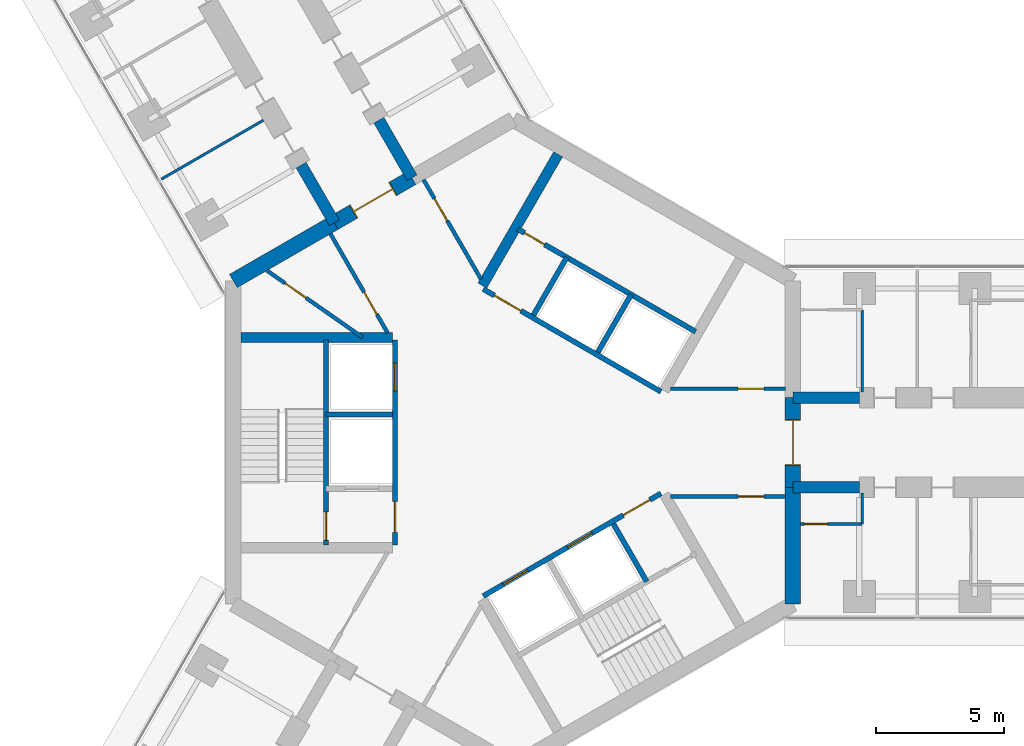
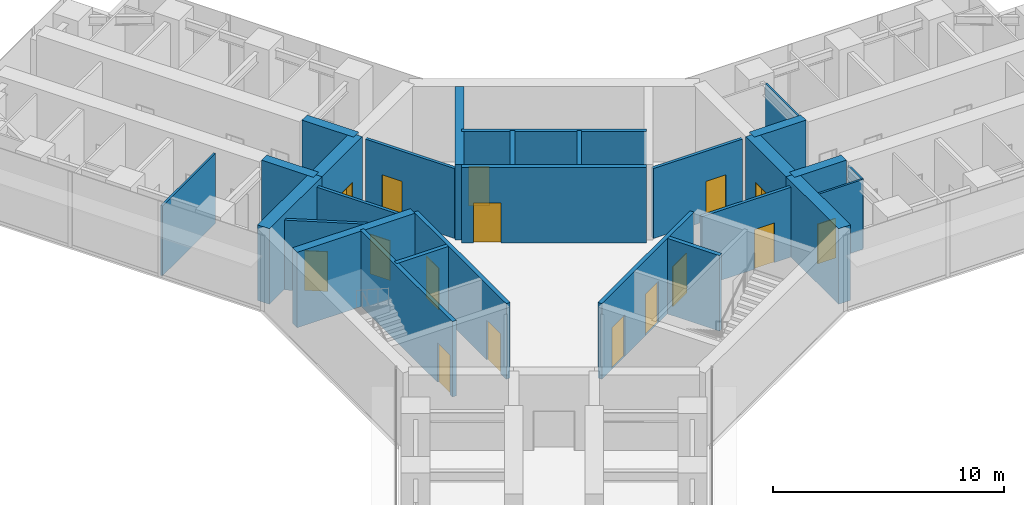
# One storey, part 16 of 23: 28 walls, 16 doors, 16 openings.
"""IFC4 building model written with IfcOpenShell, lengths in metres."""

from ifc_helpers import new_model, si_unit, direction, frame, frame_2d, origin, place, context, subcontext, project, spatial, rectangle, extrude, material, layer, layer_set, type_object, element, fill, save


model = new_model("IFC4")

# Units and contexts
model_context = context("Model", 3, precision=1e-05, world=origin(), true_north=direction((0.0, 1.0)))
body_context = subcontext(model_context, "Body", "Model", "MODEL_VIEW")
ifc_project = project(units=[si_unit("LENGTHUNIT", "METRE"), si_unit("AREAUNIT", "SQUARE_METRE"), si_unit("VOLUMEUNIT", "CUBIC_METRE"), si_unit("PLANEANGLEUNIT", "RADIAN"), si_unit("MASSUNIT", "GRAM", prefix="KILO")], contexts=[model_context])

# Site, building, storey
site_placement = place(None, origin())
site = spatial("IfcSite", under=ifc_project, at=site_placement, CompositionType="ELEMENT")
building_placement = place(site_placement, origin())
building = spatial("IfcBuilding", under=site, at=building_placement, Name="Upepo Twin Towers", CompositionType="ELEMENT")
storey_placement = place(building_placement, frame((0.0, 0.0, 161.5)))
storey = spatial("IfcBuildingStorey", under=building, at=storey_placement, Name="L39", CompositionType="ELEMENT", Elevation=161.5)

# Walls
ifc_material_1 = material(Name="Concrete C60/75", Category="concrete")
ifc_layer_1 = layer(ifc_material_1, 0.449951171875)
ifc_layer_set_1 = layer_set([ifc_layer_1], Name="Concrete C60/75")
wall_type_1 = type_object("IfcWallType", Name="Buttress wall 450 RC", PredefinedType="SHEAR", material=ifc_layer_set_1)
for number, where, z_axis, x_axis, name in (
    (1, (10.908447265625, 1.75, 0.0), (0.0, 0.0, 1.0), (1.0, 0.0, 0.0), "T1 wing A buttress wall L"),
    (2, (10.908447265625, -1.75, 0.0), (0.0, 0.0, 1.0), (1.0, 0.0, 0.0), "T1 wing A buttress wall R"),
):
    element("IfcWall", number, at=place(storey_placement, frame(where, z_axis=z_axis, x_axis=x_axis)), inside=storey, type_object=wall_type_1, Name=name, PredefinedType="SHEAR", context=body_context, shape_type="SweptSolid", body=[
        extrude(rectangle(XDim=2.591552734375, YDim=0.449951171875, at=frame_2d((1.2958984375, 0.0))), origin(), (0.0, 0.0, 1.0), 4.0),
    ])
for number, where, z_axis, x_axis, name in (
    (3, (-6.9697265625, 8.57177734375, 0.0), (0.0, 0.0, 1.0), (-0.499988811324, 0.866031863473, 0.0), "T1 wing B buttress wall L"),
    (4, (-3.938720703125, 10.32177734375, 0.0), (0.0, 0.0, 1.0), (-0.499918158782, 0.866072649678, 0.0), "T1 wing B buttress wall R"),
):
    element("IfcWall", number, at=place(storey_placement, frame(where, z_axis=z_axis, x_axis=x_axis)), inside=storey, type_object=wall_type_1, Name=name, PredefinedType="SHEAR", context=body_context, shape_type="SweptSolid", body=[
        extrude(rectangle(XDim=2.591796875, YDim=0.449951171875, at=frame_2d((1.2958984375, 0.0))), origin(), (0.0, 0.0, 1.0), 4.0),
    ])
ifc_material_2 = material(Name="Concrete C60/75", Category="concrete")
ifc_layer_2 = layer(ifc_material_2, 0.60009765625)
ifc_layer_set_2 = layer_set([ifc_layer_2], Name="Concrete C60/75")
wall_type_2 = type_object("IfcWallType", Name="Core wall 600 RC", PredefinedType="SHEAR", material=ifc_layer_set_2)
wall_1_placement = place(storey_placement, frame((10.908447265625, -6.2978515625, 0.0), z_axis=(0.0, 0.0, 1.0), x_axis=(0.0, 1.0, 0.0)))
element("IfcWall", 5, at=wall_1_placement, inside=storey, type_object=wall_type_2, Name="T1 core wall 000 R", PredefinedType="SHEAR", context=body_context, shape_type="SweptSolid", body=[
    extrude(rectangle(XDim=4.5478515625, YDim=0.60009765625, at=frame_2d((2.27392578125, 0.0))), origin(), (0.0, 0.0, 1.0), 4.0),
])

# Wall, opening, door
wall_2_placement = place(storey_placement, frame((10.908447265625, -1.75, 0.0), z_axis=(0.0, 0.0, 1.0), x_axis=(0.0, 1.0, 0.0)))
wall_2 = element("IfcWall", 6, at=wall_2_placement, inside=storey, type_object=wall_type_2, Name="T1 core wall 000", PredefinedType="SHEAR", context=body_context, shape_type="SweptSolid", body=[
    extrude(rectangle(XDim=3.5, YDim=0.60009765625, at=frame_2d((1.75, 0.0))), origin(), (0.0, 0.0, 1.0), 4.0),
])
opening_1_placement = place(wall_2_placement, frame((0.85009765625, 0.0, 0.0)))
opening_1 = element("IfcOpeningElement", 7, at=opening_1_placement, cuts=wall_2, Name="Opening D2", PredefinedType="OPENING", context=body_context, shape_type="SweptSolid", body=[
    extrude(rectangle(XDim=1.800048828125, YDim=2.10009765625, at=frame_2d((0.89990234375, 1.050048828125))), frame((0.0, 0.31005859375, 0.0), z_axis=(0.0, -1.0, 0.0), x_axis=(1.0, 0.0, 0.0)), (0.0, 0.0, 1.0), 0.6201171875),
])
ifc_material_3 = material(Name="Timber doorset", Category="wood")
door_type_1 = type_object("IfcDoorType", Name="Corridor double door 1800 FD60", OperationType="DOUBLE_DOOR_DOUBLE_SWING", PredefinedType="DOOR", material=ifc_material_3)
door_1_placement = place(opening_1_placement, origin())
door_1 = element("IfcDoor", 8, at=door_1_placement, inside=storey, type_object=door_type_1, Name="T1 L39 wing A corridor door", OperationType="DOUBLE_DOOR_DOUBLE_SWING", OverallHeight=2.10009765625, OverallWidth=1.800048828125, PredefinedType="DOOR", context=body_context, shape_type="SweptSolid", body=[
    extrude(rectangle(XDim=1.720048828125, YDim=2.06009765625, at=frame_2d((0.89990234375, 1.030029296875))), frame((0.0, 0.02490234375, 0.0), z_axis=(0.0, -1.0, 0.0), x_axis=(1.0, 0.0, 0.0)), (0.0, 0.0, 1.0), 0.050048828125),
    extrude(rectangle(XDim=0.04, YDim=2.10009765625, at=frame_2d((0.02001953125, 1.050048828125))), frame((0.0, 0.2998046875, 0.0), z_axis=(0.0, -1.0, 0.0), x_axis=(1.0, 0.0, 0.0)), (0.0, 0.0, 1.0), 0.599609375),
    extrude(rectangle(XDim=0.04, YDim=2.10009765625, at=frame_2d((1.780029296875, 1.050048828125))), frame((0.0, 0.2998046875, 0.0), z_axis=(0.0, -1.0, 0.0), x_axis=(1.0, 0.0, 0.0)), (0.0, 0.0, 1.0), 0.599609375),
    extrude(rectangle(XDim=1.720048828125, YDim=0.04, at=frame_2d((0.89990234375, 2.080078125))), frame((0.0, 0.2998046875, 0.0), z_axis=(0.0, -1.0, 0.0), x_axis=(1.0, 0.0, 0.0)), (0.0, 0.0, 1.0), 0.599609375),
])
fill(opening_1, door_1)

wall_3_placement = place(storey_placement, frame((-3.938720703125, 10.32177734375, 0.0), z_axis=(0.0, 0.0, 1.0), x_axis=(-0.866019471182, -0.500010275428, 0.0)))
wall_3 = element("IfcWall", 9, at=wall_3_placement, inside=storey, type_object=wall_type_2, Name="T1 core wall 120", PredefinedType="SHEAR", context=body_context, shape_type="SweptSolid", body=[
    extrude(rectangle(XDim=3.5, YDim=0.60009765625, at=frame_2d((1.75, 0.0))), origin(), (0.0, 0.0, 1.0), 4.0),
])
opening_2_placement = place(wall_3_placement, frame((0.85009765625, 0.0, 0.0)))
opening_2 = element("IfcOpeningElement", 10, at=opening_2_placement, cuts=wall_3, Name="Opening D2", PredefinedType="OPENING", context=body_context, shape_type="SweptSolid", body=[
    extrude(rectangle(XDim=1.800048828125, YDim=2.10009765625, at=frame_2d((0.89990234375, 1.050048828125))), frame((0.0, 0.31005859375, 0.0), z_axis=(0.0, -1.0, 0.0), x_axis=(1.0, 0.0, 0.0)), (0.0, 0.0, 1.0), 0.6201171875),
])
door_2_placement = place(opening_2_placement, origin())
door_2 = element("IfcDoor", 11, at=door_2_placement, inside=storey, type_object=door_type_1, Name="T1 L39 wing B corridor door", OperationType="DOUBLE_DOOR_DOUBLE_SWING", OverallHeight=2.10009765625, OverallWidth=1.800048828125, PredefinedType="DOOR", context=body_context, shape_type="SweptSolid", body=[
    extrude(rectangle(XDim=1.720048828125, YDim=2.06009765625, at=frame_2d((0.89990234375, 1.030029296875))), frame((0.0, 0.02490234375, 0.0), z_axis=(0.0, -1.0, 0.0), x_axis=(1.0, 0.0, 0.0)), (0.0, 0.0, 1.0), 0.050048828125),
    extrude(rectangle(XDim=0.04, YDim=2.10009765625, at=frame_2d((0.02001953125, 1.050048828125))), frame((0.0, 0.2998046875, 0.0), z_axis=(0.0, -1.0, 0.0), x_axis=(1.0, 0.0, 0.0)), (0.0, 0.0, 1.0), 0.599609375),
    extrude(rectangle(XDim=0.04, YDim=2.10009765625, at=frame_2d((1.780029296875, 1.050048828125))), frame((0.0, 0.2998046875, 0.0), z_axis=(0.0, -1.0, 0.0), x_axis=(1.0, 0.0, 0.0)), (0.0, 0.0, 1.0), 0.599609375),
    extrude(rectangle(XDim=1.720048828125, YDim=0.04, at=frame_2d((0.89990234375, 2.080078125))), frame((0.0, 0.2998046875, 0.0), z_axis=(0.0, -1.0, 0.0), x_axis=(1.0, 0.0, 0.0)), (0.0, 0.0, 1.0), 0.599609375),
])
fill(opening_2, door_2)

# Walls
wall_4_placement = place(storey_placement, frame((-6.9697265625, 8.57177734375, 0.0), z_axis=(0.0, 0.0, 1.0), x_axis=(-0.866034513004, -0.499984222037, 0.0)))
element("IfcWall", 12, at=wall_4_placement, inside=storey, type_object=wall_type_2, Name="T1 core wall 120 L", PredefinedType="SHEAR", context=body_context, shape_type="SweptSolid", body=[
    extrude(rectangle(XDim=4.548095703125, YDim=0.60009765625, at=frame_2d((2.27392578125, 0.0))), origin(), (0.0, 0.0, 1.0), 4.0),
])
ifc_material_4 = material(Name="Gypsum board on steel studs", Category="steel")
ifc_layer_3 = layer(ifc_material_4, 0.10009765625)
ifc_layer_set_3 = layer_set([ifc_layer_3], Name="Office partition 100 stud")
wall_type_3 = type_object("IfcWallType", Name="Office partition 100 stud", PredefinedType="PARTITIONING", material=ifc_layer_set_3)
wall_5_placement = place(storey_placement, frame((13.60791015625, 1.97509765625, 0.0), z_axis=(0.0, 0.0, 1.0), x_axis=(0.0, 1.0, 0.0)))
element("IfcWall", 13, at=wall_5_placement, inside=storey, type_object=wall_type_3, Name="T1 WC bay partition AL end at 13.61", PredefinedType="PARTITIONING", context=body_context, shape_type="SweptSolid", body=[
    extrude(rectangle(XDim=3.199951171875, YDim=0.10009765625, at=frame_2d((1.60009765625, 0.0))), origin(), (0.0, 0.0, 1.0), 3.699951171875),
])

# Wall, opening, door
wall_6_placement = place(storey_placement, frame((11.2080078125, -3.175048828125, 0.0), z_axis=(0.0, 0.0, 1.0), x_axis=(1.0, 0.0, 0.0)))
wall_6 = element("IfcWall", 14, at=wall_6_placement, inside=storey, type_object=wall_type_3, Name="T1 WC bay partition AR at 11.21", PredefinedType="PARTITIONING", context=body_context, shape_type="SweptSolid", body=[
    extrude(rectangle(XDim=2.39990234375, YDim=0.10009765625, at=frame_2d((1.199951171875, 0.0))), origin(), (0.0, 0.0, 1.0), 3.699951171875),
])
opening_3_placement = place(wall_6_placement, frame((0.14990234375, 0.0, 0.0)))
opening_3 = element("IfcOpeningElement", 15, at=opening_3_placement, cuts=wall_6, Name="Opening D14", PredefinedType="OPENING", context=body_context, shape_type="SweptSolid", body=[
    extrude(rectangle(XDim=0.89990234375, YDim=2.10009765625, at=frame_2d((0.449951171875, 1.050048828125))), frame((0.0, 0.06005859375, 0.0), z_axis=(0.0, -1.0, 0.0), x_axis=(1.0, 0.0, 0.0)), (0.0, 0.0, 1.0), 0.1201171875),
])
ifc_material_5 = material(Name="Timber doorset", Category="wood")
door_type_2 = type_object("IfcDoorType", Name="Office door 900 FD30", OperationType="SINGLE_SWING_LEFT", PredefinedType="DOOR", material=ifc_material_5)
door_3_placement = place(opening_3_placement, origin())
door_3 = element("IfcDoor", 16, at=door_3_placement, inside=storey, type_object=door_type_2, Name="T1 L39 WC bay inner room door", OperationType="SINGLE_SWING_LEFT", OverallHeight=2.10009765625, OverallWidth=0.89990234375, PredefinedType="DOOR", context=body_context, shape_type="SweptSolid", body=[
    extrude(rectangle(XDim=0.89990234375, YDim=2.10009765625, at=frame_2d((0.449951171875, 1.050048828125))), frame((0.0, 0.02490234375, 0.0), z_axis=(0.0, -1.0, 0.0), x_axis=(1.0, 0.0, 0.0)), (0.0, 0.0, 1.0), 0.050048828125),
])
fill(opening_3, door_3)

# Walls
wall_7_placement = place(storey_placement, frame((13.60791015625, -1.97509765625, 0.0), z_axis=(0.0, 0.0, 1.0), x_axis=(0.0, -1.0, 0.0)))
element("IfcWall", 17, at=wall_7_placement, inside=storey, type_object=wall_type_3, Name="T1 WC bay partition AR end at 13.61", PredefinedType="PARTITIONING", context=body_context, shape_type="SweptSolid", body=[
    extrude(rectangle(XDim=1.199951171875, YDim=0.10009765625, at=frame_2d((0.60009765625, 0.0))), origin(), (0.0, 0.0, 1.0), 3.699951171875),
])
wall_8_placement = place(storey_placement, frame((-9.737060546875, 12.56494140625, 0.0), z_axis=(0.0, 0.0, 1.0), x_axis=(-0.866016770315, -0.500014953309, 0.0)))
element("IfcWall", 18, at=wall_8_placement, inside=storey, type_object=wall_type_3, Name="T1 partition BL at 15.75", PredefinedType="PARTITIONING", context=body_context, shape_type="SweptSolid", body=[
    extrude(rectangle(XDim=4.599853515625, YDim=0.10009765625, at=frame_2d((2.2998046875, 0.0))), origin(), (0.0, 0.0, 1.0), 3.699951171875),
])

# Wall, opening, door
ifc_material_6 = material(Name="Concrete C40/50", Category="concrete")
ifc_layer_4 = layer(ifc_material_6, 0.199951171875)
ifc_layer_set_4 = layer_set([ifc_layer_4], Name="Concrete C40/50")
wall_type_4 = type_object("IfcWallType", Name="Shaft wall 200 RC", PredefinedType="SHEAR", material=ifc_layer_set_4)
wall_9_placement = place(storey_placement, frame((5.76416015625, 1.983642578125, 0.0), z_axis=(0.0, 0.0, 1.0), x_axis=(-0.866026010844, 0.49999894854, 0.0)))
wall_9 = element("IfcWall", 19, at=wall_9_placement, inside=storey, type_object=wall_type_4, Name="T1 core W60 front wall", PredefinedType="SHEAR", context=body_context, shape_type="SweptSolid", body=[
    extrude(rectangle(XDim=8.0, YDim=0.199951171875, at=frame_2d((4.0, 0.0))), origin(), (0.0, 0.0, 1.0), 4.0),
])
opening_4_placement = place(wall_9_placement, frame((6.300048828125, 0.0, 0.0)))
opening_4 = element("IfcOpeningElement", 20, at=opening_4_placement, cuts=wall_9, Name="Opening D4", PredefinedType="OPENING", context=body_context, shape_type="SweptSolid", body=[
    extrude(rectangle(XDim=1.199951171875, YDim=2.10009765625, at=frame_2d((0.60009765625, 1.050048828125))), frame((0.0, 0.10986328125, 0.0), z_axis=(0.0, -1.0, 0.0), x_axis=(1.0, 0.0, 0.0)), (0.0, 0.0, 1.0), 0.219970703125),
])
ifc_material_7 = material(Name="Timber doorset", Category="wood")
door_type_3 = type_object("IfcDoorType", Name="Lobby door 1200 FD60", OperationType="SINGLE_SWING_LEFT", PredefinedType="DOOR", material=ifc_material_7)
door_4_placement = place(opening_4_placement, origin())
door_4 = element("IfcDoor", 21, at=door_4_placement, inside=storey, type_object=door_type_3, Name="T1 L39 W60 lobby door", OperationType="SINGLE_SWING_RIGHT", OverallHeight=2.10009765625, OverallWidth=1.199951171875, PredefinedType="DOOR", context=body_context, shape_type="SweptSolid", body=[
    extrude(rectangle(XDim=1.199951171875, YDim=2.10009765625, at=frame_2d((0.60009765625, 1.050048828125))), frame((0.0, 0.02490234375, 0.0), z_axis=(0.0, -1.0, 0.0), x_axis=(1.0, 0.0, 0.0)), (0.0, 0.0, 1.0), 0.050048828125),
])
fill(opening_4, door_4)

# Walls
for number, where, z_axis, x_axis, name in (
    (22, (3.302734375, 3.520263671875, 0.0), (0.0, 0.0, 1.0), (0.499936506574, 0.866062058628, 0.0), "T1 core W60 shaft divider"),
    (23, (0.791259765625, 4.97021484375, 0.0), (0.0, 0.0, 1.0), (0.499936506574, 0.866062058628, 0.0), "T1 core W60 lobby wall"),
):
    element("IfcWall", number, at=place(storey_placement, frame(where, z_axis=z_axis, x_axis=x_axis)), inside=storey, type_object=wall_type_4, Name=name, PredefinedType="SHEAR", context=body_context, shape_type="SweptSolid", body=[
        extrude(rectangle(XDim=2.599853515625, YDim=0.199951171875, at=frame_2d((1.2998046875, 0.0))), origin(), (0.0, 0.0, 1.0), 4.0),
    ])

# Wall, opening, door
wall_10_placement = place(storey_placement, frame((7.114013671875, 4.322021484375, 0.0), z_axis=(0.0, 0.0, 1.0), x_axis=(-0.866026010844, 0.49999894854, 0.0)))
wall_10 = element("IfcWall", 24, at=wall_10_placement, inside=storey, type_object=wall_type_4, Name="T1 core W60 stair wall", PredefinedType="SHEAR", context=body_context, shape_type="SweptSolid", body=[
    extrude(rectangle(XDim=8.0, YDim=0.199951171875, at=frame_2d((4.0, 0.0))), origin(), (0.0, 0.0, 1.0), 4.0),
])
opening_5_placement = place(wall_10_placement, frame((6.800048828125, 0.0, 0.0)))
opening_5 = element("IfcOpeningElement", 25, at=opening_5_placement, cuts=wall_10, Name="Opening D9", PredefinedType="OPENING", context=body_context, shape_type="SweptSolid", body=[
    extrude(rectangle(XDim=0.89990234375, YDim=2.10009765625, at=frame_2d((0.449951171875, 1.050048828125))), frame((0.0, 0.10986328125, 0.0), z_axis=(0.0, -1.0, 0.0), x_axis=(1.0, 0.0, 0.0)), (0.0, 0.0, 1.0), 0.219970703125),
])
ifc_material_8 = material(Name="Timber doorset", Category="wood")
door_type_4 = type_object("IfcDoorType", Name="Riser door 900 FD60", OperationType="SINGLE_SWING_LEFT", PredefinedType="DOOR", material=ifc_material_8)
door_5_placement = place(opening_5_placement, origin())
door_5 = element("IfcDoor", 26, at=door_5_placement, inside=storey, type_object=door_type_4, Name="T1 L39 riser door", OperationType="SINGLE_SWING_RIGHT", OverallHeight=2.10009765625, OverallWidth=0.89990234375, PredefinedType="DOOR", context=body_context, shape_type="SweptSolid", body=[
    extrude(rectangle(XDim=0.89990234375, YDim=2.10009765625, at=frame_2d((0.449951171875, 1.050048828125))), frame((0.0, 0.02490234375, 0.0), z_axis=(0.0, -1.0, 0.0), x_axis=(1.0, 0.0, 0.0)), (0.0, 0.0, 1.0), 0.050048828125),
])
fill(opening_5, door_5)

# Wall, openings, doors
wall_11_placement = place(storey_placement, frame((-4.60009765625, 4.0, 0.0), z_axis=(0.0, 0.0, 1.0), x_axis=(0.0, -1.0, 0.0)))
wall_11 = element("IfcWall", 27, at=wall_11_placement, inside=storey, type_object=wall_type_4, Name="T1 core W180 front wall", PredefinedType="SHEAR", context=body_context, shape_type="SweptSolid", body=[
    extrude(rectangle(XDim=8.0, YDim=0.199951171875, at=frame_2d((4.0, 0.0))), origin(), (0.0, 0.0, 1.0), 4.0),
])
opening_6_placement = place(wall_11_placement, frame((6.300048828125, 0.0, 0.0)))
opening_6 = element("IfcOpeningElement", 28, at=opening_6_placement, cuts=wall_11, Name="Opening D4", PredefinedType="OPENING", context=body_context, shape_type="SweptSolid", body=[
    extrude(rectangle(XDim=1.199951171875, YDim=2.10009765625, at=frame_2d((0.60009765625, 1.050048828125))), frame((0.0, 0.10986328125, 0.0), z_axis=(0.0, -1.0, 0.0), x_axis=(1.0, 0.0, 0.0)), (0.0, 0.0, 1.0), 0.219970703125),
])
opening_7_placement = place(wall_11_placement, frame((0.89990234375, 0.0, 0.0)))
opening_7 = element("IfcOpeningElement", 29, at=opening_7_placement, cuts=wall_11, Name="Opening LD1", PredefinedType="OPENING", context=body_context, shape_type="SweptSolid", body=[
    extrude(rectangle(XDim=1.10009765625, YDim=2.199951171875, at=frame_2d((0.550048828125, 1.10009765625))), frame((0.0, 0.10986328125, 0.0), z_axis=(0.0, -1.0, 0.0), x_axis=(1.0, 0.0, 0.0)), (0.0, 0.0, 1.0), 0.219970703125),
])
ifc_material_9 = material(Name="Steel doorset", Category="steel")
door_type_5 = type_object("IfcDoorType", Name="Lift landing door 1100", OperationType="DOUBLE_DOOR_SLIDING", PredefinedType="DOOR", material=ifc_material_9)
door_6_placement = place(opening_7_placement, origin())
door_6 = element("IfcDoor", 30, at=door_6_placement, inside=storey, type_object=door_type_5, Name="T1 L39 lift SV1 landing door", OperationType="DOUBLE_DOOR_SLIDING", OverallHeight=2.199951171875, OverallWidth=1.10009765625, PredefinedType="DOOR", context=body_context, shape_type="SweptSolid", body=[
    extrude(rectangle(XDim=1.10009765625, YDim=2.199951171875, at=frame_2d((0.550048828125, 1.10009765625))), frame((0.0, 0.02490234375, 0.0), z_axis=(0.0, -1.0, 0.0), x_axis=(1.0, 0.0, 0.0)), (0.0, 0.0, 1.0), 0.050048828125),
])
fill(opening_7, door_6)
door_7_placement = place(opening_6_placement, origin())
door_7 = element("IfcDoor", 31, at=door_7_placement, inside=storey, type_object=door_type_3, Name="T1 L39 W180 lobby door", OperationType="SINGLE_SWING_RIGHT", OverallHeight=2.10009765625, OverallWidth=1.199951171875, PredefinedType="DOOR", context=body_context, shape_type="SweptSolid", body=[
    extrude(rectangle(XDim=1.199951171875, YDim=2.10009765625, at=frame_2d((0.60009765625, 1.050048828125))), frame((0.0, 0.02490234375, 0.0), z_axis=(0.0, -1.0, 0.0), x_axis=(1.0, 0.0, 0.0)), (0.0, 0.0, 1.0), 0.050048828125),
])
fill(opening_6, door_7)

# Wall
wall_12_placement = place(storey_placement, frame((-4.699951171875, 1.10009765625, 0.0), z_axis=(0.0, 0.0, 1.0), x_axis=(-1.0, 0.0, 0.0)))
element("IfcWall", 32, at=wall_12_placement, inside=storey, type_object=wall_type_4, Name="T1 core W180 shaft divider", PredefinedType="SHEAR", context=body_context, shape_type="SweptSolid", body=[
    extrude(rectangle(XDim=2.60009765625, YDim=0.199951171875, at=frame_2d((1.300048828125, 0.0))), origin(), (0.0, 0.0, 1.0), 4.0),
])

# Wall, opening, door
wall_13_placement = place(storey_placement, frame((-7.300048828125, 4.0, 0.0), z_axis=(0.0, 0.0, 1.0), x_axis=(0.0, -1.0, 0.0)))
wall_13 = element("IfcWall", 33, at=wall_13_placement, inside=storey, type_object=wall_type_4, Name="T1 core W180 stair wall", PredefinedType="SHEAR", context=body_context, shape_type="SweptSolid", body=[
    extrude(rectangle(XDim=8.0, YDim=0.199951171875, at=frame_2d((4.0, 0.0))), origin(), (0.0, 0.0, 1.0), 4.0),
])
opening_8_placement = place(wall_13_placement, frame((6.699951171875, 0.0, 0.0)))
opening_8 = element("IfcOpeningElement", 34, at=opening_8_placement, cuts=wall_13, Name="Opening D3", PredefinedType="OPENING", context=body_context, shape_type="SweptSolid", body=[
    extrude(rectangle(XDim=1.10009765625, YDim=2.10009765625, at=frame_2d((0.550048828125, 1.050048828125))), frame((0.0, 0.10986328125, 0.0), z_axis=(0.0, -1.0, 0.0), x_axis=(1.0, 0.0, 0.0)), (0.0, 0.0, 1.0), 0.219970703125),
])
ifc_material_10 = material(Name="Timber doorset", Category="wood")
door_type_6 = type_object("IfcDoorType", Name="Stair door 1100 FD60", OperationType="SINGLE_SWING_LEFT", PredefinedType="DOOR", material=ifc_material_10)
door_8_placement = place(opening_8_placement, origin())
door_8 = element("IfcDoor", 35, at=door_8_placement, inside=storey, type_object=door_type_6, Name="T1 L39 stair door", OperationType="SINGLE_SWING_RIGHT", OverallHeight=2.10009765625, OverallWidth=1.10009765625, PredefinedType="DOOR", context=body_context, shape_type="SweptSolid", body=[
    extrude(rectangle(XDim=1.10009765625, YDim=2.10009765625, at=frame_2d((0.550048828125, 1.050048828125))), frame((0.0, 0.02490234375, 0.0), z_axis=(0.0, -1.0, 0.0), x_axis=(1.0, 0.0, 0.0)), (0.0, 0.0, 1.0), 0.050048828125),
])
fill(opening_8, door_8)

# Wall, openings, doors
wall_14_placement = place(storey_placement, frame((-1.1640625, -5.983642578125, 0.0), z_axis=(0.0, 0.0, 1.0), x_axis=(0.866026010844, 0.49999894854, 0.0)))
wall_14 = element("IfcWall", 36, at=wall_14_placement, inside=storey, type_object=wall_type_4, Name="T1 core W300 front wall", PredefinedType="SHEAR", context=body_context, shape_type="SweptSolid", body=[
    extrude(rectangle(XDim=8.0, YDim=0.199951171875, at=frame_2d((4.0, 0.0))), origin(), (0.0, 0.0, 1.0), 4.0),
])
opening_9_placement = place(wall_14_placement, frame((6.300048828125, 0.0, 0.0)))
opening_9 = element("IfcOpeningElement", 37, at=opening_9_placement, cuts=wall_14, Name="Opening D4", PredefinedType="OPENING", context=body_context, shape_type="SweptSolid", body=[
    extrude(rectangle(XDim=1.199951171875, YDim=2.10009765625, at=frame_2d((0.60009765625, 1.050048828125))), frame((0.0, 0.10986328125, 0.0), z_axis=(0.0, -1.0, 0.0), x_axis=(1.0, 0.0, 0.0)), (0.0, 0.0, 1.0), 0.219970703125),
])
opening_10_placement = place(wall_14_placement, frame((0.89990234375, 0.0, 0.0)))
opening_10 = element("IfcOpeningElement", 38, at=opening_10_placement, cuts=wall_14, Name="Opening LD1", PredefinedType="OPENING", context=body_context, shape_type="SweptSolid", body=[
    extrude(rectangle(XDim=1.10009765625, YDim=2.199951171875, at=frame_2d((0.550048828125, 1.10009765625))), frame((0.0, 0.10986328125, 0.0), z_axis=(0.0, -1.0, 0.0), x_axis=(1.0, 0.0, 0.0)), (0.0, 0.0, 1.0), 0.219970703125),
])
opening_11_placement = place(wall_14_placement, frame((3.800048828125, 0.0, 0.0)))
opening_11 = element("IfcOpeningElement", 39, at=opening_11_placement, cuts=wall_14, Name="Opening LD1", PredefinedType="OPENING", context=body_context, shape_type="SweptSolid", body=[
    extrude(rectangle(XDim=1.10009765625, YDim=2.199951171875, at=frame_2d((0.550048828125, 1.10009765625))), frame((0.0, 0.10986328125, 0.0), z_axis=(0.0, -1.0, 0.0), x_axis=(1.0, 0.0, 0.0)), (0.0, 0.0, 1.0), 0.219970703125),
])
door_9_placement = place(opening_10_placement, origin())
door_9 = element("IfcDoor", 40, at=door_9_placement, inside=storey, type_object=door_type_5, Name="T1 L39 lift ML1 landing door", OperationType="DOUBLE_DOOR_SLIDING", OverallHeight=2.199951171875, OverallWidth=1.10009765625, PredefinedType="DOOR", context=body_context, shape_type="SweptSolid", body=[
    extrude(rectangle(XDim=1.10009765625, YDim=2.199951171875, at=frame_2d((0.550048828125, 1.10009765625))), frame((0.0, 0.02490234375, 0.0), z_axis=(0.0, -1.0, 0.0), x_axis=(1.0, 0.0, 0.0)), (0.0, 0.0, 1.0), 0.050048828125),
])
fill(opening_10, door_9)
door_10_placement = place(opening_11_placement, origin())
door_10 = element("IfcDoor", 41, at=door_10_placement, inside=storey, type_object=door_type_5, Name="T1 L39 lift ML2 landing door", OperationType="DOUBLE_DOOR_SLIDING", OverallHeight=2.199951171875, OverallWidth=1.10009765625, PredefinedType="DOOR", context=body_context, shape_type="SweptSolid", body=[
    extrude(rectangle(XDim=1.10009765625, YDim=2.199951171875, at=frame_2d((0.550048828125, 1.10009765625))), frame((0.0, 0.02490234375, 0.0), z_axis=(0.0, -1.0, 0.0), x_axis=(1.0, 0.0, 0.0)), (0.0, 0.0, 1.0), 0.050048828125),
])
fill(opening_11, door_10)
door_11_placement = place(opening_9_placement, origin())
door_11 = element("IfcDoor", 42, at=door_11_placement, inside=storey, type_object=door_type_3, Name="T1 L39 W300 lobby door", OperationType="SINGLE_SWING_RIGHT", OverallHeight=2.10009765625, OverallWidth=1.199951171875, PredefinedType="DOOR", context=body_context, shape_type="SweptSolid", body=[
    extrude(rectangle(XDim=1.199951171875, YDim=2.10009765625, at=frame_2d((0.60009765625, 1.050048828125))), frame((0.0, 0.02490234375, 0.0), z_axis=(0.0, -1.0, 0.0), x_axis=(1.0, 0.0, 0.0)), (0.0, 0.0, 1.0), 0.050048828125),
])
fill(opening_9, door_11)

# Walls
wall_15_placement = place(storey_placement, frame((3.908935546875, -3.17041015625, 0.0), z_axis=(0.0, 0.0, 1.0), x_axis=(0.49997716683, -0.86603858612, 0.0)))
element("IfcWall", 43, at=wall_15_placement, inside=storey, type_object=wall_type_4, Name="T1 core W300 lobby wall", PredefinedType="SHEAR", context=body_context, shape_type="SweptSolid", body=[
    extrude(rectangle(XDim=2.599609375, YDim=0.199951171875, at=frame_2d((1.2998046875, 0.0))), origin(), (0.0, 0.0, 1.0), 4.0),
])
ifc_material_11 = material(Name="Concrete C40/50", Category="concrete")
ifc_layer_5 = layer(ifc_material_11, 0.39990234375)
ifc_layer_set_5 = layer_set([ifc_layer_5], Name="Concrete C40/50")
wall_type_5 = type_object("IfcWallType", Name="Shaft wall 400 RC", PredefinedType="SHEAR", material=ifc_layer_set_5)
wall_16_placement = place(storey_placement, frame((-1.20068359375, 6.120361328125, 0.0), z_axis=(0.0, 0.0, 1.0), x_axis=(0.49999668571, 0.866027317282, 0.0)))
element("IfcWall", 44, at=wall_16_placement, inside=storey, type_object=wall_type_5, Name="T1 core W60 side wall N", PredefinedType="SHEAR", context=body_context, shape_type="SweptSolid", body=[
    extrude(rectangle(XDim=5.908203125, YDim=0.39990234375, at=frame_2d((2.9541015625, 0.0))), origin(), (0.0, 0.0, 1.0), 4.0),
])
wall_17_placement = place(storey_placement, frame((-4.699951171875, 4.10009765625, 0.0), z_axis=(0.0, 0.0, 1.0), x_axis=(-1.0, 0.0, 0.0)))
element("IfcWall", 45, at=wall_17_placement, inside=storey, type_object=wall_type_5, Name="T1 core W180 side wall S", PredefinedType="SHEAR", context=body_context, shape_type="SweptSolid", body=[
    extrude(rectangle(XDim=5.908447265625, YDim=0.39990234375, at=frame_2d((2.9541015625, 0.0))), origin(), (0.0, 0.0, 1.0), 4.0),
])

# Wall, opening, door
ifc_material_12 = material(Name="Gypsum board on steel studs", Category="steel")
ifc_layer_6 = layer(ifc_material_12, 0.14990234375)
ifc_layer_set_6 = layer_set([ifc_layer_6], Name="Teaching partition 150 acoustic")
wall_type_6 = type_object("IfcWallType", Name="Teaching partition 150 acoustic", PredefinedType="PARTITIONING", material=ifc_layer_set_6)
wall_18_placement = place(storey_placement, frame((-4.889892578125, 4.269775390625, 0.0), z_axis=(0.0, 0.0, 1.0), x_axis=(-0.499999473313, 0.866025707867, 0.0)))
wall_18 = element("IfcWall", 46, at=wall_18_placement, inside=storey, type_object=wall_type_6, Name="T1 core room partition 3", PredefinedType="PARTITIONING", context=body_context, shape_type="SweptSolid", body=[
    extrude(rectangle(XDim=4.4755859375, YDim=0.14990234375, at=frame_2d((2.23779296875, 0.0))), origin(), (0.0, 0.0, 1.0), 3.699951171875),
])
opening_12_placement = place(wall_18_placement, frame((0.8427734375, 0.0, 0.0)))
opening_12 = element("IfcOpeningElement", 47, at=opening_12_placement, cuts=wall_18, Name="Opening D1", PredefinedType="OPENING", context=body_context, shape_type="SweptSolid", body=[
    extrude(rectangle(XDim=1.0, YDim=2.10009765625, at=frame_2d((0.5, 1.050048828125))), frame((0.0, 0.0849609375, 0.0), z_axis=(0.0, -1.0, 0.0), x_axis=(1.0, 0.0, 0.0)), (0.0, 0.0, 1.0), 0.169921875),
])
ifc_material_13 = material(Name="Timber doorset", Category="wood")
door_type_7 = type_object("IfcDoorType", Name="Room door 1000 FD30", OperationType="SINGLE_SWING_LEFT", PredefinedType="DOOR", material=ifc_material_13)
door_12_placement = place(opening_12_placement, origin())
door_12 = element("IfcDoor", 48, at=door_12_placement, inside=storey, type_object=door_type_7, Name="T1 L39 core room door K7", OperationType="SINGLE_SWING_LEFT", OverallHeight=2.10009765625, OverallWidth=1.0, PredefinedType="DOOR", context=body_context, shape_type="SweptSolid", body=[
    extrude(rectangle(XDim=1.0, YDim=2.10009765625, at=frame_2d((0.5, 1.050048828125))), frame((0.0, 0.02490234375, 0.0), z_axis=(0.0, -1.0, 0.0), x_axis=(1.0, 0.0, 0.0)), (0.0, 0.0, 1.0), 0.050048828125),
])
fill(opening_12, door_12)

wall_19_placement = place(storey_placement, frame((-3.490478515625, 10.24560546875, 0.0), z_axis=(0.0, 0.0, 1.0), x_axis=(0.499999473313, -0.866025707867, 0.0)))
wall_19 = element("IfcWall", 49, at=wall_19_placement, inside=storey, type_object=wall_type_6, Name="T1 core room partition 4", PredefinedType="PARTITIONING", context=body_context, shape_type="SweptSolid", body=[
    extrude(rectangle(XDim=4.4755859375, YDim=0.14990234375, at=frame_2d((2.23779296875, 0.0))), origin(), (0.0, 0.0, 1.0), 3.699951171875),
])
opening_13_placement = place(wall_19_placement, frame((0.8427734375, 0.0, 0.0)))
opening_13 = element("IfcOpeningElement", 50, at=opening_13_placement, cuts=wall_19, Name="Opening D1", PredefinedType="OPENING", context=body_context, shape_type="SweptSolid", body=[
    extrude(rectangle(XDim=1.0, YDim=2.10009765625, at=frame_2d((0.5, 1.050048828125))), frame((0.0, 0.0849609375, 0.0), z_axis=(0.0, -1.0, 0.0), x_axis=(1.0, 0.0, 0.0)), (0.0, 0.0, 1.0), 0.169921875),
])
door_13_placement = place(opening_13_placement, origin())
door_13 = element("IfcDoor", 51, at=door_13_placement, inside=storey, type_object=door_type_7, Name="T1 L39 core room door K5", OperationType="SINGLE_SWING_LEFT", OverallHeight=2.10009765625, OverallWidth=1.0, PredefinedType="DOOR", context=body_context, shape_type="SweptSolid", body=[
    extrude(rectangle(XDim=1.0, YDim=2.10009765625, at=frame_2d((0.5, 1.050048828125))), frame((0.0, 0.02490234375, 0.0), z_axis=(0.0, -1.0, 0.0), x_axis=(1.0, 0.0, 0.0)), (0.0, 0.0, 1.0), 0.050048828125),
])
fill(opening_13, door_13)

wall_20_placement = place(storey_placement, frame((6.142578125, 2.10009765625, 0.0), z_axis=(0.0, 0.0, 1.0), x_axis=(1.0, 0.0, 0.0)))
wall_20 = element("IfcWall", 52, at=wall_20_placement, inside=storey, type_object=wall_type_6, Name="T1 core room partition 5", PredefinedType="PARTITIONING", context=body_context, shape_type="SweptSolid", body=[
    extrude(rectangle(XDim=4.475830078125, YDim=0.14990234375, at=frame_2d((2.23779296875, 0.0))), origin(), (0.0, 0.0, 1.0), 3.699951171875),
])
opening_14_placement = place(wall_20_placement, frame((2.6328125, 0.0, 0.0)))
opening_14 = element("IfcOpeningElement", 53, at=opening_14_placement, cuts=wall_20, Name="Opening D1", PredefinedType="OPENING", context=body_context, shape_type="SweptSolid", body=[
    extrude(rectangle(XDim=1.0, YDim=2.10009765625, at=frame_2d((0.5, 1.050048828125))), frame((0.0, 0.0849609375, 0.0), z_axis=(0.0, -1.0, 0.0), x_axis=(1.0, 0.0, 0.0)), (0.0, 0.0, 1.0), 0.169921875),
])
door_14_placement = place(opening_14_placement, origin())
door_14 = element("IfcDoor", 54, at=door_14_placement, inside=storey, type_object=door_type_7, Name="T1 L39 core room door K4", OperationType="SINGLE_SWING_RIGHT", OverallHeight=2.10009765625, OverallWidth=1.0, PredefinedType="DOOR", context=body_context, shape_type="SweptSolid", body=[
    extrude(rectangle(XDim=1.0, YDim=2.10009765625, at=frame_2d((0.5, 1.050048828125))), frame((0.0, 0.02490234375, 0.0), z_axis=(0.0, -1.0, 0.0), x_axis=(1.0, 0.0, 0.0)), (0.0, 0.0, 1.0), 0.050048828125),
])
fill(opening_14, door_14)

wall_21_placement = place(storey_placement, frame((10.618408203125, -2.10009765625, 0.0), z_axis=(0.0, 0.0, 1.0), x_axis=(-1.0, 0.0, 0.0)))
wall_21 = element("IfcWall", 55, at=wall_21_placement, inside=storey, type_object=wall_type_6, Name="T1 core room partition 6", PredefinedType="PARTITIONING", context=body_context, shape_type="SweptSolid", body=[
    extrude(rectangle(XDim=4.475830078125, YDim=0.14990234375, at=frame_2d((2.23779296875, 0.0))), origin(), (0.0, 0.0, 1.0), 3.699951171875),
])
opening_15_placement = place(wall_21_placement, frame((0.8427734375, 0.0, 0.0)))
opening_15 = element("IfcOpeningElement", 56, at=opening_15_placement, cuts=wall_21, Name="Opening D1", PredefinedType="OPENING", context=body_context, shape_type="SweptSolid", body=[
    extrude(rectangle(XDim=1.0, YDim=2.10009765625, at=frame_2d((0.5, 1.050048828125))), frame((0.0, 0.0849609375, 0.0), z_axis=(0.0, -1.0, 0.0), x_axis=(1.0, 0.0, 0.0)), (0.0, 0.0, 1.0), 0.169921875),
])
door_15_placement = place(opening_15_placement, origin())
door_15 = element("IfcDoor", 57, at=door_15_placement, inside=storey, type_object=door_type_7, Name="T1 L39 core room door K3", OperationType="SINGLE_SWING_LEFT", OverallHeight=2.10009765625, OverallWidth=1.0, PredefinedType="DOOR", context=body_context, shape_type="SweptSolid", body=[
    extrude(rectangle(XDim=1.0, YDim=2.10009765625, at=frame_2d((0.5, 1.050048828125))), frame((0.0, 0.02490234375, 0.0), z_axis=(0.0, -1.0, 0.0), x_axis=(1.0, 0.0, 0.0)), (0.0, 0.0, 1.0), 0.050048828125),
])
fill(opening_15, door_15)

wall_22_placement = place(storey_placement, frame((-5.869384765625, 4.10009765625, 0.0), z_axis=(0.0, 0.0, 1.0), x_axis=(-0.819788459852, 0.572666465836, 0.0)))
wall_22 = element("IfcWall", 58, at=wall_22_placement, inside=storey, type_object=wall_type_6, Name="T1 core room partition 7", PredefinedType="PARTITIONING", context=body_context, shape_type="SweptSolid", body=[
    extrude(rectangle(XDim=4.551513671875, YDim=0.14990234375, at=frame_2d((2.27587890625, 0.0))), origin(), (0.0, 0.0, 1.0), 3.699951171875),
])
opening_16_placement = place(wall_22_placement, frame((2.68603515625, 0.0, 0.0)))
opening_16 = element("IfcOpeningElement", 59, at=opening_16_placement, cuts=wall_22, Name="Opening D1", PredefinedType="OPENING", context=body_context, shape_type="SweptSolid", body=[
    extrude(rectangle(XDim=1.0, YDim=2.10009765625, at=frame_2d((0.5, 1.050048828125))), frame((0.0, 0.0849609375, 0.0), z_axis=(0.0, -1.0, 0.0), x_axis=(1.0, 0.0, 0.0)), (0.0, 0.0, 1.0), 0.169921875),
])
door_16_placement = place(opening_16_placement, origin())
door_16 = element("IfcDoor", 60, at=door_16_placement, inside=storey, type_object=door_type_7, Name="T1 L39 core room door K6", OperationType="SINGLE_SWING_RIGHT", OverallHeight=2.10009765625, OverallWidth=1.0, PredefinedType="DOOR", context=body_context, shape_type="SweptSolid", body=[
    extrude(rectangle(XDim=1.0, YDim=2.10009765625, at=frame_2d((0.5, 1.050048828125))), frame((0.0, 0.02490234375, 0.0), z_axis=(0.0, -1.0, 0.0), x_axis=(1.0, 0.0, 0.0)), (0.0, 0.0, 1.0), 0.050048828125),
])
fill(opening_16, door_16)

save(model, "model.ifc")
